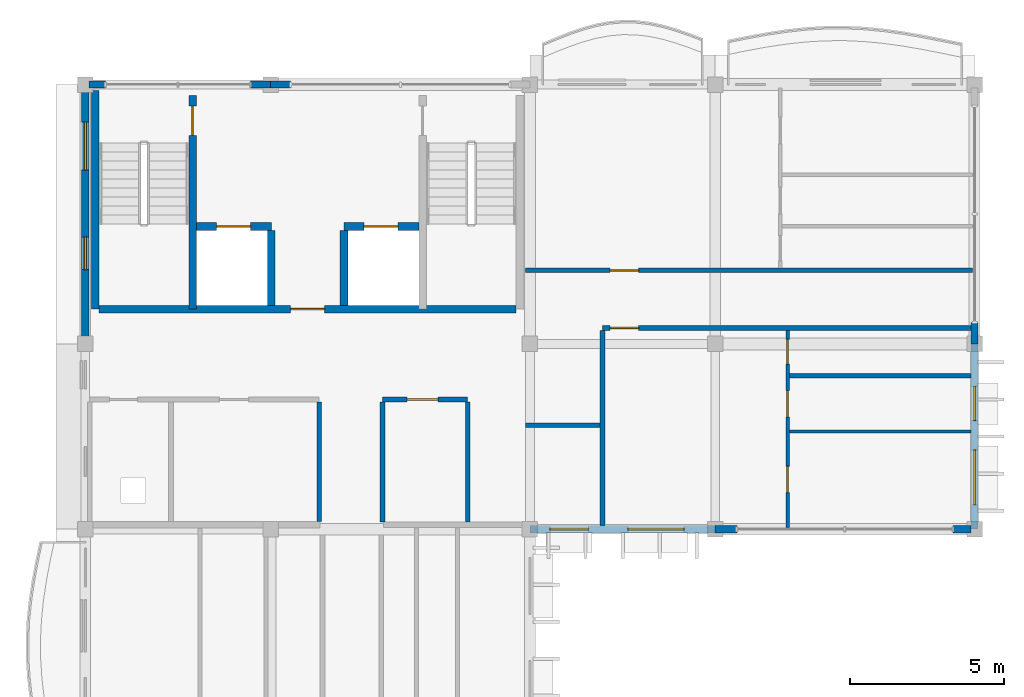
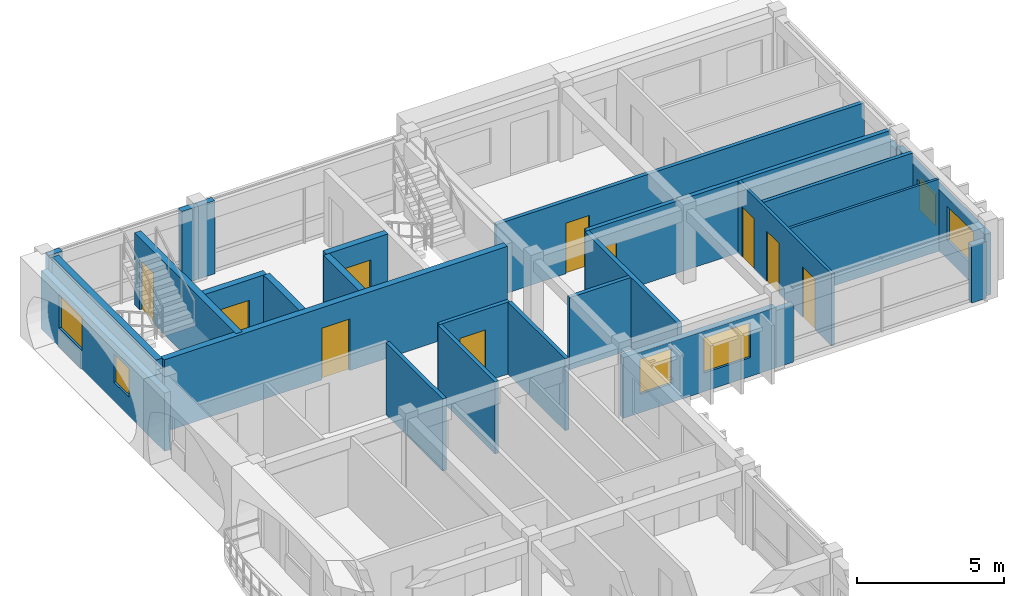
# One storey, part 6 of 10: 27 walls, 10 doors, 6 windows, 16 openings.
"""IFC4 building model written with IfcOpenShell, lengths in metres."""

from ifc_helpers import new_model, si_unit, direction, frame, frame_2d, origin, place, context, subcontext, project, spatial, rectangle, extrude, material, layer, layer_set, type_object, element, fill, save


model = new_model("IFC4")

# Units and contexts
model_context = context("Model", 3, precision=1e-05, world=origin(), true_north=direction((0.0, 1.0)))
body_context = subcontext(model_context, "Body", "Model", "MODEL_VIEW")
ifc_project = project(units=[si_unit("LENGTHUNIT", "METRE"), si_unit("AREAUNIT", "SQUARE_METRE"), si_unit("VOLUMEUNIT", "CUBIC_METRE"), si_unit("PLANEANGLEUNIT", "RADIAN"), si_unit("MASSUNIT", "GRAM", prefix="KILO"), si_unit("THERMODYNAMICTEMPERATUREUNIT", "KELVIN")], contexts=[model_context])

# Site, building, storey
site_placement = place(None, origin())
site = spatial("IfcSite", under=ifc_project, at=site_placement, CompositionType="ELEMENT")
building_placement = place(site_placement, origin())
building = spatial("IfcBuilding", under=site, at=building_placement, Name="Thalorik Housing Commons", CompositionType="ELEMENT")
storey_placement = place(building_placement, frame((0.0, 0.0, 44.39990234375)))
storey = spatial("IfcBuildingStorey", under=building, at=storey_placement, Name="L13", CompositionType="ELEMENT", Elevation=44.39990234375)

# Wall, opening, door
ifc_material_1 = material(Name="Concrete C40/50", Category="concrete")
ifc_layer_1 = layer(ifc_material_1, 0.25, Name="Concrete C40/50", Category="concrete")
ifc_layer_set_1 = layer_set([ifc_layer_1], Name="Concrete C40/50")
wall_type_1 = type_object("IfcWallType", Name="ARC-WAL-CORE-250", PredefinedType="SHEAR", material=ifc_layer_set_1)
wall_1_placement = place(storey_placement, frame((11.875, 123.25, 0.0), z_axis=(0.0, 0.0, 1.0), x_axis=(0.0, -1.0, 0.0)))
wall_1 = element("IfcWall", 1, at=wall_1_placement, inside=storey, type_object=wall_type_1, Name="L13 Core A Stair 1 Shear Wall", PredefinedType="SHEAR", context=body_context, shape_type="SweptSolid", body=[
    extrude(rectangle(XDim=6.925048828125, YDim=0.25, at=frame_2d((3.46240234375, 0.0))), origin(), (0.0, 0.0, 1.0), 3.0),
])
opening_1_placement = place(wall_1_placement, frame((0.35009765625, 0.0, 0.0)))
opening_1 = element("IfcOpeningElement", 2, at=opening_1_placement, cuts=wall_1, Name="Opening ID-0113", PredefinedType="OPENING", context=body_context, shape_type="SweptSolid", body=[
    extrude(rectangle(XDim=0.949951171875, YDim=2.10009765625, at=frame_2d((0.47509765625, 1.050048828125))), frame((0.0, 0.135009765625, 0.0), z_axis=(0.0, -1.0, 0.0), x_axis=(1.0, 0.0, 0.0)), (0.0, 0.0, 1.0), 0.27001953125),
])
ifc_material_2 = material(Name="Steel S355", Category="steel")
door_type_1 = type_object("IfcDoorType", Name="ARC-DR-FD60-950", OperationType="NOTDEFINED", PredefinedType="DOOR", material=ifc_material_2)
door_1_placement = place(opening_1_placement, origin())
door_1 = element("IfcDoor", 3, at=door_1_placement, inside=storey, type_object=door_type_1, Name="L13 Stair ST-A1 Fire Door", OperationType="SINGLE_SWING_RIGHT", OverallHeight=2.10009765625, OverallWidth=0.949951171875, PredefinedType="DOOR", context=body_context, shape_type="SweptSolid", body=[
    extrude(rectangle(XDim=0.949951171875, YDim=2.10009765625, at=frame_2d((0.47509765625, 1.050048828125))), frame((0.0, 0.02490234375, 0.0), z_axis=(0.0, -1.0, 0.0), x_axis=(1.0, 0.0, 0.0)), (0.0, 0.0, 1.0), 0.050048828125),
])
fill(opening_1, door_1)

# Wall
wall_2_placement = place(storey_placement, frame((8.72509765625, 123.39990234375, 0.0), z_axis=(0.0, 0.0, 1.0), x_axis=(0.0, -1.0, 0.0)))
element("IfcWall", 4, at=wall_2_placement, inside=storey, type_object=wall_type_1, Name="L13 Core A Stair 1 Outer Shear Wall", PredefinedType="SHEAR", context=body_context, shape_type="SweptSolid", body=[
    extrude(rectangle(XDim=7.074951171875, YDim=0.25, at=frame_2d((3.53759765625, 0.0))), origin(), (0.0, 0.0, 1.0), 3.0),
])

# Wall, opening, door
wall_3_placement = place(storey_placement, frame((12.0, 119.0, 0.0), z_axis=(0.0, 0.0, 1.0), x_axis=(1.0, 0.0, 0.0)))
wall_3 = element("IfcWall", 5, at=wall_3_placement, inside=storey, type_object=wall_type_1, Name="L13 Lift LF-A1 Front Shaft Wall", PredefinedType="SHEAR", context=body_context, shape_type="SweptSolid", body=[
    extrude(rectangle(XDim=2.425048828125, YDim=0.25, at=frame_2d((1.21240234375, 0.0))), origin(), (0.0, 0.0, 1.0), 3.0),
])
opening_2_placement = place(wall_3_placement, frame((0.64990234375, 0.0, 0.0)))
opening_2 = element("IfcOpeningElement", 6, at=opening_2_placement, cuts=wall_3, Name="Opening LD-LF-A1-L13", PredefinedType="OPENING", context=body_context, shape_type="SweptSolid", body=[
    extrude(rectangle(XDim=1.10009765625, YDim=2.14990234375, at=frame_2d((0.550048828125, 1.074951171875))), frame((0.0, 0.135009765625, 0.0), z_axis=(0.0, -1.0, 0.0), x_axis=(1.0, 0.0, 0.0)), (0.0, 0.0, 1.0), 0.27001953125),
])
door_type_2 = type_object("IfcDoorType", Name="ARC-DR-LIFT-1100", OperationType="NOTDEFINED", PredefinedType="DOOR", material=ifc_material_2)
door_2_placement = place(opening_2_placement, origin())
door_2 = element("IfcDoor", 7, at=door_2_placement, inside=storey, type_object=door_type_2, Name="L13 Lift LF-A1 Landing Door", OperationType="SLIDING_TO_LEFT", OverallHeight=2.14990234375, OverallWidth=1.10009765625, PredefinedType="DOOR", context=body_context, shape_type="SweptSolid", body=[
    extrude(rectangle(XDim=1.10009765625, YDim=2.14990234375, at=frame_2d((0.550048828125, 1.074951171875))), frame((0.0, 0.02490234375, 0.0), z_axis=(0.0, -1.0, 0.0), x_axis=(1.0, 0.0, 0.0)), (0.0, 0.0, 1.0), 0.050048828125),
])
fill(opening_2, door_2)

wall_4_placement = place(storey_placement, frame((16.77490234375, 119.0, 0.0), z_axis=(0.0, 0.0, 1.0), x_axis=(1.0, 0.0, 0.0)))
wall_4 = element("IfcWall", 8, at=wall_4_placement, inside=storey, type_object=wall_type_1, Name="L13 Lift LP-A2 Front Shaft Wall", PredefinedType="SHEAR", context=body_context, shape_type="SweptSolid", body=[
    extrude(rectangle(XDim=2.425048828125, YDim=0.25, at=frame_2d((1.21240234375, 0.0))), origin(), (0.0, 0.0, 1.0), 3.0),
])
opening_3_placement = place(wall_4_placement, frame((0.64990234375, 0.0, 0.0)))
opening_3 = element("IfcOpeningElement", 9, at=opening_3_placement, cuts=wall_4, Name="Opening LD-LP-A2-L13", PredefinedType="OPENING", context=body_context, shape_type="SweptSolid", body=[
    extrude(rectangle(XDim=1.10009765625, YDim=2.14990234375, at=frame_2d((0.550048828125, 1.074951171875))), frame((0.0, 0.135009765625, 0.0), z_axis=(0.0, -1.0, 0.0), x_axis=(1.0, 0.0, 0.0)), (0.0, 0.0, 1.0), 0.27001953125),
])
door_3_placement = place(opening_3_placement, origin())
door_3 = element("IfcDoor", 10, at=door_3_placement, inside=storey, type_object=door_type_2, Name="L13 Lift LP-A2 Landing Door", OperationType="SLIDING_TO_LEFT", OverallHeight=2.14990234375, OverallWidth=1.10009765625, PredefinedType="DOOR", context=body_context, shape_type="SweptSolid", body=[
    extrude(rectangle(XDim=1.10009765625, YDim=2.14990234375, at=frame_2d((0.550048828125, 1.074951171875))), frame((0.0, 0.02490234375, 0.0), z_axis=(0.0, -1.0, 0.0), x_axis=(1.0, 0.0, 0.0)), (0.0, 0.0, 1.0), 0.050048828125),
])
fill(opening_3, door_3)

# Walls
for number, where, z_axis, x_axis, name in (
    (11, (14.425048828125, 118.875, 0.0), (0.0, 0.0, 1.0), (0.0, -1.0, 0.0), "L13 Lift 1 Cheek Wall"),
    (12, (16.77490234375, 118.875, 0.0), (0.0, 0.0, 1.0), (0.0, -1.0, 0.0), "L13 Lift 2 Cheek Wall"),
):
    element("IfcWall", number, at=place(storey_placement, frame(where, z_axis=z_axis, x_axis=x_axis)), inside=storey, type_object=wall_type_1, Name=name, PredefinedType="SHEAR", context=body_context, shape_type="SweptSolid", body=[
        extrude(rectangle(XDim=2.425048828125, YDim=0.25, at=frame_2d((1.21240234375, 0.0))), origin(), (0.0, 0.0, 1.0), 3.0),
    ])

# Wall, opening, door
wall_5_placement = place(storey_placement, frame((8.85009765625, 116.324951171875, 0.0), z_axis=(0.0, 0.0, 1.0), x_axis=(1.0, 0.0, 0.0)))
wall_5 = element("IfcWall", 13, at=wall_5_placement, inside=storey, type_object=wall_type_1, Name="L13 Core A Spine Shear Wall", PredefinedType="SHEAR", context=body_context, shape_type="SweptSolid", body=[
    extrude(rectangle(XDim=13.5, YDim=0.25, at=frame_2d((6.75, 0.0))), origin(), (0.0, 0.0, 1.0), 3.0),
])
opening_4_placement = place(wall_5_placement, frame((6.199951171875, 0.0, 0.0)))
opening_4 = element("IfcOpeningElement", 14, at=opening_4_placement, cuts=wall_5, Name="Opening ID-0117", PredefinedType="OPENING", context=body_context, shape_type="SweptSolid", body=[
    extrude(rectangle(XDim=1.10009765625, YDim=2.14990234375, at=frame_2d((0.550048828125, 1.074951171875))), frame((0.0, 0.135009765625, 0.0), z_axis=(0.0, -1.0, 0.0), x_axis=(1.0, 0.0, 0.0)), (0.0, 0.0, 1.0), 0.27001953125),
])
door_type_3 = type_object("IfcDoorType", Name="ARC-DR-FD60-1100", OperationType="NOTDEFINED", PredefinedType="DOOR", material=ifc_material_2)
door_4_placement = place(opening_4_placement, origin())
door_4 = element("IfcDoor", 15, at=door_4_placement, inside=storey, type_object=door_type_3, Name="L13 Core A Lobby Fire Door", OperationType="SINGLE_SWING_RIGHT", OverallHeight=2.14990234375, OverallWidth=1.10009765625, PredefinedType="DOOR", context=body_context, shape_type="SweptSolid", body=[
    extrude(rectangle(XDim=1.10009765625, YDim=2.14990234375, at=frame_2d((0.550048828125, 1.074951171875))), frame((0.0, 0.02490234375, 0.0), z_axis=(0.0, -1.0, 0.0), x_axis=(1.0, 0.0, 0.0)), (0.0, 0.0, 1.0), 0.050048828125),
])
fill(opening_4, door_4)

# Wall
ifc_material_3 = material(Name="Masonry fire-rated corridor wall", Category="masonry")
ifc_layer_2 = layer(ifc_material_3, 0.14990234375, Name="Masonry fire-rated corridor wall", Category="masonry")
ifc_layer_set_2 = layer_set([ifc_layer_2], Name="Masonry fire-rated corridor wall")
wall_type_2 = type_object("IfcWallType", Name="ARC-WAL-CORR-150", PredefinedType="PARTITIONING", material=ifc_layer_set_2)
wall_6_placement = place(storey_placement, frame((22.659912109375, 112.570068359375, 0.0), z_axis=(0.0, 0.0, 1.0), x_axis=(1.0, 0.0, 0.0)))
element("IfcWall", 16, at=wall_6_placement, inside=storey, type_object=wall_type_2, Name="L13 Block A Vestibule South Wall", PredefinedType="PARTITIONING", context=body_context, shape_type="SweptSolid", body=[
    extrude(rectangle(XDim=2.405517578125, YDim=0.14990234375, at=frame_2d((1.20263671875, 0.0))), origin(), (0.0, 0.0, 1.0), 3.0),
])

# Wall, opening, door
wall_7_placement = place(storey_placement, frame((22.659912109375, 117.580078125, 0.0), z_axis=(0.0, 0.0, 1.0), x_axis=(1.0, 0.0, 0.0)))
wall_7 = element("IfcWall", 17, at=wall_7_placement, inside=storey, type_object=wall_type_2, Name="L13 Block A N Corridor Wall 2", PredefinedType="PARTITIONING", context=body_context, shape_type="SweptSolid", body=[
    extrude(rectangle(XDim=14.47998046875, YDim=0.14990234375, at=frame_2d((7.239990234375, 0.0))), origin(), (0.0, 0.0, 1.0), 3.0),
])
opening_5_placement = place(wall_7_placement, frame((2.739990234375, 0.0, 0.0)))
opening_5 = element("IfcOpeningElement", 18, at=opening_5_placement, cuts=wall_7, Name="Opening ID-0932", PredefinedType="OPENING", context=body_context, shape_type="SweptSolid", body=[
    extrude(rectangle(XDim=0.919921875, YDim=2.10009765625, at=frame_2d((0.4599609375, 1.050048828125))), frame((0.0, 0.0849609375, 0.0), z_axis=(0.0, -1.0, 0.0), x_axis=(1.0, 0.0, 0.0)), (0.0, 0.0, 1.0), 0.169921875),
])
ifc_material_4 = material(Name="Solid core hardwood timber", Category="wood")
door_type_4 = type_object("IfcDoorType", Name="ARC-DR-FD30-920", OperationType="NOTDEFINED", PredefinedType="DOOR", material=ifc_material_4)
door_5_placement = place(opening_5_placement, origin())
door_5 = element("IfcDoor", 19, at=door_5_placement, inside=storey, type_object=door_type_4, Name="L13 Flat AN-1B Entrance Door", OperationType="SINGLE_SWING_LEFT", OverallHeight=2.10009765625, OverallWidth=0.919921875, PredefinedType="DOOR", context=body_context, shape_type="SweptSolid", body=[
    extrude(rectangle(XDim=0.919921875, YDim=2.10009765625, at=frame_2d((0.4599609375, 1.050048828125))), frame((0.0, 0.02490234375, 0.0), z_axis=(0.0, -1.0, 0.0), x_axis=(1.0, 0.0, 0.0)), (0.0, 0.0, 1.0), 0.050048828125),
])
fill(opening_5, door_5)

# Wall
ifc_layer_3 = layer(ifc_material_3, 0.1650390625, Name="Masonry fire-rated corridor wall", Category="masonry")
ifc_layer_set_3 = layer_set([ifc_layer_3], Name="Masonry fire-rated corridor wall")
wall_type_3 = type_object("IfcWallType", Name="ARC-WAL-CORR-165", PredefinedType="PARTITIONING", material=ifc_layer_set_3)
wall_8_placement = place(storey_placement, frame((25.14990234375, 109.319580078125, 0.0), z_axis=(0.0, 0.0, 1.0), x_axis=(0.0, 1.0, 0.0)))
element("IfcWall", 20, at=wall_8_placement, inside=storey, type_object=wall_type_3, Name="L13 Block A Vestibule Cheek Wall", PredefinedType="PARTITIONING", context=body_context, shape_type="SweptSolid", body=[
    extrude(rectangle(XDim=6.31591796875, YDim=0.1650390625, at=frame_2d((3.157958984375, 0.0))), origin(), (0.0, 0.0, 1.0), 3.0),
])

# Wall, opening, door
wall_9_placement = place(storey_placement, frame((25.14990234375, 115.719970703125, 0.0), z_axis=(0.0, 0.0, 1.0), x_axis=(1.0, 0.0, 0.0)))
wall_9 = element("IfcWall", 21, at=wall_9_placement, inside=storey, type_object=wall_type_3, Name="L13 Block A N Corridor Wall 1", PredefinedType="PARTITIONING", context=body_context, shape_type="SweptSolid", body=[
    extrude(rectangle(XDim=11.9306640625, YDim=0.1650390625, at=frame_2d((5.96533203125, 0.0))), origin(), (0.0, 0.0, 1.0), 3.0),
])
opening_6_placement = place(wall_9_placement, frame((0.25, 0.0, 0.0)))
opening_6 = element("IfcOpeningElement", 22, at=opening_6_placement, cuts=wall_9, Name="Opening ID-0931", PredefinedType="OPENING", context=body_context, shape_type="SweptSolid", body=[
    extrude(rectangle(XDim=0.919921875, YDim=2.10009765625, at=frame_2d((0.4599609375, 1.050048828125))), frame((0.0, 0.092529296875, 0.0), z_axis=(0.0, -1.0, 0.0), x_axis=(1.0, 0.0, 0.0)), (0.0, 0.0, 1.0), 0.18505859375),
])
door_6_placement = place(opening_6_placement, origin())
door_6 = element("IfcDoor", 23, at=door_6_placement, inside=storey, type_object=door_type_4, Name="L13 Flat AN-1A Entrance Door", OperationType="SINGLE_SWING_RIGHT", OverallHeight=2.10009765625, OverallWidth=0.919921875, PredefinedType="DOOR", context=body_context, shape_type="SweptSolid", body=[
    extrude(rectangle(XDim=0.919921875, YDim=2.10009765625, at=frame_2d((0.4599609375, 1.050048828125))), frame((0.0, 0.02490234375, 0.0), z_axis=(0.0, -1.0, 0.0), x_axis=(1.0, 0.0, 0.0)), (0.0, 0.0, 1.0), 0.050048828125),
])
fill(opening_6, door_6)

# Wall, openings, windows
ifc_material_5 = material(Name="White precast concrete C40/50", Category="concrete")
ifc_layer_4 = layer(ifc_material_5, 0.235107421875, Name="White precast concrete C40/50", Category="concrete")
ifc_layer_set_4 = layer_set([ifc_layer_4], Name="White precast concrete C40/50")
wall_type_4 = type_object("IfcWallType", Name="ARC-WAL-EXT-235", PredefinedType="STANDARD", material=ifc_layer_set_4)
wall_10_placement = place(storey_placement, frame((22.800048828125, 109.199951171875, 0.0), z_axis=(0.0, 0.0, 1.0), x_axis=(1.0, 0.0, 0.0)))
wall_10 = element("IfcWall", 24, at=wall_10_placement, inside=storey, type_object=wall_type_4, Name="L13 Exterior Wall WAL-EXT-L13-A-0315", PredefinedType="STANDARD", context=body_context, shape_type="SweptSolid", body=[
    extrude(rectangle(XDim=6.0, YDim=0.235107421875, at=frame_2d((3.0, 0.0))), origin(), (0.0, 0.0, 1.0), 2.525146484375),
])
opening_7_placement = place(wall_10_placement, frame((0.64501953125, 0.0, 0.780029296875)))
opening_7 = element("IfcOpeningElement", 25, at=opening_7_placement, cuts=wall_10, Name="Opening W-47", PredefinedType="OPENING", context=body_context, shape_type="SweptSolid", body=[
    extrude(rectangle(XDim=1.25, YDim=1.449951171875, at=frame_2d((0.625, 0.72509765625))), frame((0.0, 0.12744140625, 0.0), z_axis=(0.0, -1.0, 0.0), x_axis=(1.0, 0.0, 0.0)), (0.0, 0.0, 1.0), 0.255126953125),
])
opening_8_placement = place(wall_10_placement, frame((3.169921875, 0.0, 0.780029296875)))
opening_8 = element("IfcOpeningElement", 26, at=opening_8_placement, cuts=wall_10, Name="Opening W-58", PredefinedType="OPENING", context=body_context, shape_type="SweptSolid", body=[
    extrude(rectangle(XDim=1.820068359375, YDim=1.4599609375, at=frame_2d((0.91015625, 0.72998046875))), frame((0.0, 0.12744140625, 0.0), z_axis=(0.0, -1.0, 0.0), x_axis=(1.0, 0.0, 0.0)), (0.0, 0.0, 1.0), 0.255126953125),
])
ifc_material_6 = material(Name="Anodised aluminium and solar-control low-E glass", Category="aluminium")
window_type_1 = type_object("IfcWindowType", Name="ARC-WIN-47", PartitioningType="SINGLE_PANEL", PredefinedType="WINDOW", material=ifc_material_6)
window_1_placement = place(opening_7_placement, origin())
window_1 = element("IfcWindow", 27, at=window_1_placement, inside=storey, type_object=window_type_1, Name="L13 Facade Window 569", OverallHeight=1.449951171875, OverallWidth=1.25, PartitioningType="SINGLE_PANEL", PredefinedType="WINDOW", context=body_context, shape_type="SweptSolid", body=[
    extrude(rectangle(XDim=1.25, YDim=1.449951171875, at=frame_2d((0.625, 0.72509765625))), frame((0.0, 0.030029296875, 0.0), z_axis=(0.0, -1.0, 0.0), x_axis=(1.0, 0.0, 0.0)), (0.0, 0.0, 1.0), 0.06005859375),
])
fill(opening_7, window_1)
window_type_2 = type_object("IfcWindowType", Name="ARC-WIN-58", PartitioningType="DOUBLE_PANEL_VERTICAL", PredefinedType="WINDOW", material=ifc_material_6)
window_2_placement = place(opening_8_placement, origin())
window_2 = element("IfcWindow", 28, at=window_2_placement, inside=storey, type_object=window_type_2, Name="L13 Facade Window 570", OverallHeight=1.4599609375, OverallWidth=1.820068359375, PartitioningType="DOUBLE_PANEL_VERTICAL", PredefinedType="WINDOW", context=body_context, shape_type="SweptSolid", body=[
    extrude(rectangle(XDim=1.820068359375, YDim=1.4599609375, at=frame_2d((0.91015625, 0.72998046875))), frame((0.0, 0.030029296875, 0.0), z_axis=(0.0, -1.0, 0.0), x_axis=(1.0, 0.0, 0.0)), (0.0, 0.0, 1.0), 0.06005859375),
])
fill(opening_8, window_2)

# Walls
wall_11_placement = place(storey_placement, frame((28.800048828125, 109.199951171875, 0.0), z_axis=(0.0, 0.0, 1.0), x_axis=(1.0, 0.0, 0.0)))
element("IfcWall", 29, at=wall_11_placement, inside=storey, type_object=wall_type_4, Name="L13 Exterior Wall WAL-PIERL-L13-A-0316", PredefinedType="STANDARD", context=body_context, shape_type="SweptSolid", body=[
    extrude(rectangle(XDim=0.699951171875, YDim=0.235107421875, at=frame_2d((0.35009765625, 0.0))), origin(), (0.0, 0.0, 1.0), 2.375),
])
wall_12_placement = place(storey_placement, frame((36.5, 109.199951171875, 0.0), z_axis=(0.0, 0.0, 1.0), x_axis=(1.0, 0.0, 0.0)))
element("IfcWall", 30, at=wall_12_placement, inside=storey, type_object=wall_type_4, Name="L13 Exterior Wall WAL-PIERR-L13-A-0316", PredefinedType="STANDARD", context=body_context, shape_type="SweptSolid", body=[
    extrude(rectangle(XDim=0.58056640625, YDim=0.235107421875, at=frame_2d((0.290283203125, 0.0))), origin(), (0.0, 0.0, 1.0), 2.375),
])

# Wall, openings, windows
wall_13_placement = place(storey_placement, frame((37.199951171875, 109.199951171875, 0.0), z_axis=(0.0, 0.0, 1.0), x_axis=(0.0, 1.0, 0.0)))
wall_13 = element("IfcWall", 31, at=wall_13_placement, inside=storey, type_object=wall_type_4, Name="L13 Exterior Wall WAL-EXT-L13-A-0317", PredefinedType="STANDARD", context=body_context, shape_type="SweptSolid", body=[
    extrude(rectangle(XDim=6.0, YDim=0.235107421875, at=frame_2d((3.0, 0.0))), origin(), (0.0, 0.0, 1.0), 2.5751953125),
])
opening_9_placement = place(wall_13_placement, frame((0.785400390625, 0.0, 0.780029296875)))
opening_9 = element("IfcOpeningElement", 32, at=opening_9_placement, cuts=wall_13, Name="Opening W-57", PredefinedType="OPENING", context=body_context, shape_type="SweptSolid", body=[
    extrude(rectangle(XDim=1.780029296875, YDim=1.419921875, at=frame_2d((0.89013671875, 0.7099609375))), frame((0.0, 0.12744140625, 0.0), z_axis=(0.0, -1.0, 0.0), x_axis=(1.0, 0.0, 0.0)), (0.0, 0.0, 1.0), 0.255126953125),
])
opening_10_placement = place(wall_13_placement, frame((3.51513671875, 0.0, 0.780029296875)))
opening_10 = element("IfcOpeningElement", 33, at=opening_10_placement, cuts=wall_13, Name="Opening W-03", PredefinedType="OPENING", context=body_context, shape_type="SweptSolid", body=[
    extrude(rectangle(XDim=1.10009765625, YDim=1.300048828125, at=frame_2d((0.550048828125, 0.64990234375))), frame((0.0, 0.12744140625, 0.0), z_axis=(0.0, -1.0, 0.0), x_axis=(1.0, 0.0, 0.0)), (0.0, 0.0, 1.0), 0.255126953125),
])
window_type_3 = type_object("IfcWindowType", Name="ARC-WIN-03", PartitioningType="SINGLE_PANEL", PredefinedType="WINDOW", material=ifc_material_6)
window_3_placement = place(opening_10_placement, origin())
window_3 = element("IfcWindow", 34, at=window_3_placement, inside=storey, type_object=window_type_3, Name="L13 Facade Window 572", OverallHeight=1.300048828125, OverallWidth=1.10009765625, PartitioningType="SINGLE_PANEL", PredefinedType="WINDOW", context=body_context, shape_type="SweptSolid", body=[
    extrude(rectangle(XDim=1.10009765625, YDim=1.300048828125, at=frame_2d((0.550048828125, 0.64990234375))), frame((0.0, 0.030029296875, 0.0), z_axis=(0.0, -1.0, 0.0), x_axis=(1.0, 0.0, 0.0)), (0.0, 0.0, 1.0), 0.06005859375),
])
fill(opening_10, window_3)
window_type_4 = type_object("IfcWindowType", Name="ARC-WIN-57", PartitioningType="DOUBLE_PANEL_VERTICAL", PredefinedType="WINDOW", material=ifc_material_6)
window_4_placement = place(opening_9_placement, origin())
window_4 = element("IfcWindow", 35, at=window_4_placement, inside=storey, type_object=window_type_4, Name="L13 Facade Window 571", OverallHeight=1.419921875, OverallWidth=1.780029296875, PartitioningType="DOUBLE_PANEL_VERTICAL", PredefinedType="WINDOW", context=body_context, shape_type="SweptSolid", body=[
    extrude(rectangle(XDim=1.780029296875, YDim=1.419921875, at=frame_2d((0.89013671875, 0.7099609375))), frame((0.0, 0.030029296875, 0.0), z_axis=(0.0, -1.0, 0.0), x_axis=(1.0, 0.0, 0.0)), (0.0, 0.0, 1.0), 0.06005859375),
])
fill(opening_9, window_4)

# Walls
wall_14_placement = place(storey_placement, frame((37.199951171875, 115.199951171875, 0.0), z_axis=(0.0, 0.0, 1.0), x_axis=(0.0, 1.0, 0.0)))
element("IfcWall", 36, at=wall_14_placement, inside=storey, type_object=wall_type_4, Name="L13 Exterior Wall WAL-PIERL-L13-A-0318", PredefinedType="STANDARD", context=body_context, shape_type="SweptSolid", body=[
    extrude(rectangle(XDim=0.699951171875, YDim=0.235107421875, at=frame_2d((0.35009765625, 0.0))), origin(), (0.0, 0.0, 1.0), 2.425048828125),
])
wall_15_placement = place(storey_placement, frame((15.050048828125, 123.60009765625, 0.0), z_axis=(0.0, 0.0, 1.0), x_axis=(-1.0, 0.0, 0.0)))
element("IfcWall", 37, at=wall_15_placement, inside=storey, type_object=wall_type_4, Name="L13 Exterior Wall WAL-PIERR-L13-A-0321", PredefinedType="STANDARD", context=body_context, shape_type="SweptSolid", body=[
    extrude(rectangle(XDim=0.650146484375, YDim=0.235107421875, at=frame_2d((0.3251953125, 0.0))), origin(), (0.0, 0.0, 1.0), 3.0400390625),
])
wall_16_placement = place(storey_placement, frame((14.39990234375, 123.60009765625, 0.0), z_axis=(0.0, 0.0, 1.0), x_axis=(-1.0, 0.0, 0.0)))
element("IfcWall", 38, at=wall_16_placement, inside=storey, type_object=wall_type_4, Name="L13 Exterior Wall WAL-PIERL-L13-A-0322", PredefinedType="STANDARD", context=body_context, shape_type="SweptSolid", body=[
    extrude(rectangle(XDim=0.64990234375, YDim=0.235107421875, at=frame_2d((0.324951171875, 0.0))), origin(), (0.0, 0.0, 1.0), 3.0400390625),
])
wall_17_placement = place(storey_placement, frame((9.050048828125, 123.60009765625, 0.0), z_axis=(0.0, 0.0, 1.0), x_axis=(-1.0, 0.0, 0.0)))
element("IfcWall", 39, at=wall_17_placement, inside=storey, type_object=wall_type_4, Name="L13 Exterior Wall WAL-PIERR-L13-A-0322", PredefinedType="STANDARD", context=body_context, shape_type="SweptSolid", body=[
    extrude(rectangle(XDim=0.530517578125, YDim=0.235107421875, at=frame_2d((0.26513671875, 0.0))), origin(), (0.0, 0.0, 1.0), 3.0400390625),
])

# Wall, openings, windows
wall_18_placement = place(storey_placement, frame((8.39990234375, 123.60009765625, 0.0), z_axis=(0.0, 0.0, 1.0), x_axis=(0.0, -1.0, 0.0)))
wall_18 = element("IfcWall", 40, at=wall_18_placement, inside=storey, type_object=wall_type_4, Name="L13 Exterior Wall WAL-EXT-L13-A-0323", PredefinedType="STANDARD", context=body_context, shape_type="SweptSolid", body=[
    extrude(rectangle(XDim=8.400146484375, YDim=0.235107421875, at=frame_2d((4.2001953125, 0.0))), origin(), (0.0, 0.0, 1.0), 2.425048828125),
])
opening_11_placement = place(wall_18_placement, frame((1.22119140625, 0.0, 0.780029296875)))
opening_11 = element("IfcOpeningElement", 41, at=opening_11_placement, cuts=wall_18, Name="Opening W-12", PredefinedType="OPENING", context=body_context, shape_type="SweptSolid", body=[
    extrude(rectangle(XDim=1.550048828125, YDim=1.39990234375, at=frame_2d((0.77490234375, 0.699951171875))), frame((0.0, 0.12744140625, 0.0), z_axis=(0.0, -1.0, 0.0), x_axis=(1.0, 0.0, 0.0)), (0.0, 0.0, 1.0), 0.255126953125),
])
opening_12_placement = place(wall_18_placement, frame((4.943603515625, 0.0, 0.780029296875)))
opening_12 = element("IfcOpeningElement", 42, at=opening_12_placement, cuts=wall_18, Name="Opening W-44", PredefinedType="OPENING", context=body_context, shape_type="SweptSolid", body=[
    extrude(rectangle(XDim=1.050048828125, YDim=1.199951171875, at=frame_2d((0.52490234375, 0.60009765625))), frame((0.0, 0.12744140625, 0.0), z_axis=(0.0, -1.0, 0.0), x_axis=(1.0, 0.0, 0.0)), (0.0, 0.0, 1.0), 0.255126953125),
])
window_type_5 = type_object("IfcWindowType", Name="ARC-WIN-12", PartitioningType="SINGLE_PANEL", PredefinedType="WINDOW", material=ifc_material_6)
window_5_placement = place(opening_11_placement, origin())
window_5 = element("IfcWindow", 43, at=window_5_placement, inside=storey, type_object=window_type_5, Name="L13 Facade Window 576", OverallHeight=1.39990234375, OverallWidth=1.550048828125, PartitioningType="SINGLE_PANEL", PredefinedType="WINDOW", context=body_context, shape_type="SweptSolid", body=[
    extrude(rectangle(XDim=1.550048828125, YDim=1.39990234375, at=frame_2d((0.77490234375, 0.699951171875))), frame((0.0, 0.030029296875, 0.0), z_axis=(0.0, -1.0, 0.0), x_axis=(1.0, 0.0, 0.0)), (0.0, 0.0, 1.0), 0.06005859375),
])
fill(opening_11, window_5)
window_type_6 = type_object("IfcWindowType", Name="ARC-WIN-44", PartitioningType="SINGLE_PANEL", PredefinedType="WINDOW", material=ifc_material_6)
window_6_placement = place(opening_12_placement, origin())
window_6 = element("IfcWindow", 44, at=window_6_placement, inside=storey, type_object=window_type_6, Name="L13 Facade Window 577", OverallHeight=1.199951171875, OverallWidth=1.050048828125, PartitioningType="SINGLE_PANEL", PredefinedType="WINDOW", context=body_context, shape_type="SweptSolid", body=[
    extrude(rectangle(XDim=1.050048828125, YDim=1.199951171875, at=frame_2d((0.52490234375, 0.60009765625))), frame((0.0, 0.030029296875, 0.0), z_axis=(0.0, -1.0, 0.0), x_axis=(1.0, 0.0, 0.0)), (0.0, 0.0, 1.0), 0.06005859375),
])
fill(opening_12, window_6)

# Wall
ifc_material_7 = material(Name="Gypsum light stud partition", Category="masonry")
ifc_layer_5 = layer(ifc_material_7, 0.10009765625, Name="Gypsum light stud partition", Category="masonry")
ifc_layer_set_5 = layer_set([ifc_layer_5], Name="Gypsum light stud partition")
wall_type_5 = type_object("IfcWallType", Name="ARC-WAL-PART-100", PredefinedType="PARTITIONING", material=ifc_layer_set_5)
wall_19_placement = place(storey_placement, frame((31.20458984375, 112.36083984375, 0.0), z_axis=(0.0, 0.0, 1.0), x_axis=(1.0, 0.0, 0.0)))
element("IfcWall", 45, at=wall_19_placement, inside=storey, type_object=wall_type_5, Name="L13 Unit 1 Bedroom Partition", PredefinedType="PARTITIONING", context=body_context, shape_type="SweptSolid", body=[
    extrude(rectangle(XDim=5.8759765625, YDim=0.10009765625, at=frame_2d((2.93798828125, 0.0))), origin(), (0.0, 0.0, 1.0), 3.0),
])

# Wall, openings, doors
ifc_material_8 = material(Name="Gypsum moisture-resistant partition", Category="masonry")
ifc_layer_6 = layer(ifc_material_8, 0.114990234375, Name="Gypsum moisture-resistant partition", Category="masonry")
ifc_layer_set_6 = layer_set([ifc_layer_6], Name="Gypsum moisture-resistant partition")
wall_type_6 = type_object("IfcWallType", Name="ARC-WAL-PART-115", PredefinedType="PARTITIONING", material=ifc_layer_set_6)
wall_20_placement = place(storey_placement, frame((31.14501953125, 109.260009765625, 0.0), z_axis=(0.0, 0.0, 1.0), x_axis=(0.0, 1.0, 0.0)))
wall_20 = element("IfcWall", 46, at=wall_20_placement, inside=storey, type_object=wall_type_6, Name="L13 Unit 1 Spine Partition", PredefinedType="PARTITIONING", context=body_context, shape_type="SweptSolid", body=[
    extrude(rectangle(XDim=6.37548828125, YDim=0.114990234375, at=frame_2d((3.187744140625, 0.0))), origin(), (0.0, 0.0, 1.0), 3.0),
])
opening_13_placement = place(wall_20_placement, frame((1.12548828125, 0.0, 0.0)))
opening_13 = element("IfcOpeningElement", 47, at=opening_13_placement, cuts=wall_20, Name="Opening ID-0925", PredefinedType="OPENING", context=body_context, shape_type="SweptSolid", body=[
    extrude(rectangle(XDim=0.85009765625, YDim=2.10009765625, at=frame_2d((0.425048828125, 1.050048828125))), frame((0.0, 0.0673828125, 0.0), z_axis=(0.0, -1.0, 0.0), x_axis=(1.0, 0.0, 0.0)), (0.0, 0.0, 1.0), 0.135009765625),
])
opening_14_placement = place(wall_20_placement, frame((3.580078125, 0.0, 0.0)))
opening_14 = element("IfcOpeningElement", 48, at=opening_14_placement, cuts=wall_20, Name="Opening ID-0926", PredefinedType="OPENING", context=body_context, shape_type="SweptSolid", body=[
    extrude(rectangle(XDim=0.85009765625, YDim=2.10009765625, at=frame_2d((0.425048828125, 1.050048828125))), frame((0.0, 0.0673828125, 0.0), z_axis=(0.0, -1.0, 0.0), x_axis=(1.0, 0.0, 0.0)), (0.0, 0.0, 1.0), 0.135009765625),
])
opening_15_placement = place(wall_20_placement, frame((5.284912109375, 0.0, 0.0)))
opening_15 = element("IfcOpeningElement", 49, at=opening_15_placement, cuts=wall_20, Name="Opening ID-0927", PredefinedType="OPENING", context=body_context, shape_type="SweptSolid", body=[
    extrude(rectangle(XDim=0.800048828125, YDim=2.10009765625, at=frame_2d((0.39990234375, 1.050048828125))), frame((0.0, 0.0673828125, 0.0), z_axis=(0.0, -1.0, 0.0), x_axis=(1.0, 0.0, 0.0)), (0.0, 0.0, 1.0), 0.135009765625),
])
ifc_material_9 = material(Name="Moisture-resistant timber", Category="wood")
door_type_5 = type_object("IfcDoorType", Name="ARC-DR-INT-800", OperationType="NOTDEFINED", PredefinedType="DOOR", material=ifc_material_9)
door_7_placement = place(opening_15_placement, origin())
door_7 = element("IfcDoor", 50, at=door_7_placement, inside=storey, type_object=door_type_5, Name="L13 Flat Bathroom Door", OperationType="SINGLE_SWING_RIGHT", OverallHeight=2.10009765625, OverallWidth=0.800048828125, PredefinedType="DOOR", context=body_context, shape_type="SweptSolid", body=[
    extrude(rectangle(XDim=0.800048828125, YDim=2.10009765625, at=frame_2d((0.39990234375, 1.050048828125))), frame((0.0, 0.02490234375, 0.0), z_axis=(0.0, -1.0, 0.0), x_axis=(1.0, 0.0, 0.0)), (0.0, 0.0, 1.0), 0.050048828125),
])
fill(opening_15, door_7)
ifc_material_10 = material(Name="Engineered oak timber", Category="wood")
door_type_6 = type_object("IfcDoorType", Name="ARC-DR-INT-850", OperationType="NOTDEFINED", PredefinedType="DOOR", material=ifc_material_10)
door_8_placement = place(opening_13_placement, origin())
door_8 = element("IfcDoor", 51, at=door_8_placement, inside=storey, type_object=door_type_6, Name="L13 Double Bedroom Door", OperationType="SINGLE_SWING_RIGHT", OverallHeight=2.10009765625, OverallWidth=0.85009765625, PredefinedType="DOOR", context=body_context, shape_type="SweptSolid", body=[
    extrude(rectangle(XDim=0.85009765625, YDim=2.10009765625, at=frame_2d((0.425048828125, 1.050048828125))), frame((0.0, 0.02490234375, 0.0), z_axis=(0.0, -1.0, 0.0), x_axis=(1.0, 0.0, 0.0)), (0.0, 0.0, 1.0), 0.050048828125),
])
fill(opening_13, door_8)
door_9_placement = place(opening_14_placement, origin())
door_9 = element("IfcDoor", 52, at=door_9_placement, inside=storey, type_object=door_type_6, Name="L13 Galley Kitchen Door", OperationType="SINGLE_SWING_LEFT", OverallHeight=2.10009765625, OverallWidth=0.85009765625, PredefinedType="DOOR", context=body_context, shape_type="SweptSolid", body=[
    extrude(rectangle(XDim=0.85009765625, YDim=2.10009765625, at=frame_2d((0.425048828125, 1.050048828125))), frame((0.0, 0.02490234375, 0.0), z_axis=(0.0, -1.0, 0.0), x_axis=(1.0, 0.0, 0.0)), (0.0, 0.0, 1.0), 0.050048828125),
])
fill(opening_14, door_9)

# Walls
ifc_material_11 = material(Name="Ceramic masonry partition wall", Category="masonry")
ifc_layer_7 = layer(ifc_material_11, 0.139892578125, Name="Ceramic masonry partition wall", Category="masonry")
ifc_layer_set_7 = layer_set([ifc_layer_7], Name="Ceramic masonry partition wall")
wall_type_7 = type_object("IfcWallType", Name="ARC-WAL-PART-140", PredefinedType="PARTITIONING", material=ifc_layer_set_7)
wall_21_placement = place(storey_placement, frame((31.20458984375, 114.169677734375, 0.0), z_axis=(0.0, 0.0, 1.0), x_axis=(1.0, 0.0, 0.0)))
element("IfcWall", 53, at=wall_21_placement, inside=storey, type_object=wall_type_7, Name="L13 Unit 1 Wet Wall", PredefinedType="PARTITIONING", context=body_context, shape_type="SweptSolid", body=[
    extrude(rectangle(XDim=5.8759765625, YDim=0.139892578125, at=frame_2d((2.93798828125, 0.0))), origin(), (0.0, 0.0, 1.0), 3.0),
])
ifc_layer_8 = layer(ifc_material_11, 0.14794921875, Name="Ceramic masonry partition wall", Category="masonry")
ifc_layer_set_8 = layer_set([ifc_layer_8], Name="Ceramic masonry partition wall")
wall_type_8 = type_object("IfcWallType", Name="ARC-WAL-PART-150", PredefinedType="PARTITIONING", material=ifc_layer_set_8)
wall_22_placement = place(storey_placement, frame((15.97509765625, 113.323974609375, 0.0), z_axis=(0.0, 0.0, 1.0), x_axis=(0.0, -1.0, 0.0)))
element("IfcWall", 54, at=wall_22_placement, inside=storey, type_object=wall_type_8, Name="Core Stem West Cheek Wall", PredefinedType="PARTITIONING", context=body_context, shape_type="SweptSolid", body=[
    extrude(rectangle(XDim=3.8720703125, YDim=0.14794921875, at=frame_2d((1.93603515625, 0.0))), origin(), (0.0, 0.0, 1.0), 3.0),
])
for number, where, z_axis, x_axis, name in (
    (55, (18.02490234375, 113.323974609375, 0.0), (0.0, 0.0, 1.0), (0.0, -1.0, 0.0), "Core Stem East Cheek Wall"),
    (56, (20.780029296875, 113.323974609375, 0.0), (0.0, 0.0, 1.0), (0.0, -1.0, 0.0), "Core East Enclosing Wall"),
):
    element("IfcWall", number, at=place(storey_placement, frame(where, z_axis=z_axis, x_axis=x_axis)), inside=storey, type_object=wall_type_8, Name=name, PredefinedType="PARTITIONING", context=body_context, shape_type="SweptSolid", body=[
        extrude(rectangle(XDim=3.889404296875, YDim=0.14794921875, at=frame_2d((1.94482421875, 0.0))), origin(), (0.0, 0.0, 1.0), 3.0),
    ])

# Wall, opening, door
wall_23_placement = place(storey_placement, frame((18.02490234375, 113.39990234375, 0.0), z_axis=(0.0, 0.0, 1.0), x_axis=(1.0, 0.0, 0.0)))
wall_23 = element("IfcWall", 57, at=wall_23_placement, inside=storey, type_object=wall_type_8, Name="L13 Core A East Corridor Partition", PredefinedType="PARTITIONING", context=body_context, shape_type="SweptSolid", body=[
    extrude(rectangle(XDim=2.755126953125, YDim=0.14794921875, at=frame_2d((1.37744140625, 0.0))), origin(), (0.0, 0.0, 1.0), 3.0),
])
opening_16_placement = place(wall_23_placement, frame((0.800048828125, 0.0, 0.0)))
opening_16 = element("IfcOpeningElement", 58, at=opening_16_placement, cuts=wall_23, Name="Opening ID-0120", PredefinedType="OPENING", context=body_context, shape_type="SweptSolid", body=[
    extrude(rectangle(XDim=1.0, YDim=2.14990234375, at=frame_2d((0.5, 1.074951171875))), frame((0.0, 0.083984375, 0.0), z_axis=(0.0, -1.0, 0.0), x_axis=(1.0, 0.0, 0.0)), (0.0, 0.0, 1.0), 0.16796875),
])
door_type_7 = type_object("IfcDoorType", Name="ARC-DR-FD60-1000", OperationType="NOTDEFINED", PredefinedType="DOOR", material=ifc_material_2)
door_10_placement = place(opening_16_placement, origin())
door_10 = element("IfcDoor", 59, at=door_10_placement, inside=storey, type_object=door_type_7, Name="Core Hub Room Door", OperationType="SINGLE_SWING_LEFT", OverallHeight=2.14990234375, OverallWidth=1.0, PredefinedType="DOOR", context=body_context, shape_type="SweptSolid", body=[
    extrude(rectangle(XDim=1.0, YDim=2.14990234375, at=frame_2d((0.5, 1.074951171875))), frame((0.0, 0.02490234375, 0.0), z_axis=(0.0, -1.0, 0.0), x_axis=(1.0, 0.0, 0.0)), (0.0, 0.0, 1.0), 0.050048828125),
])
fill(opening_16, door_10)

save(model, "model.ifc")
